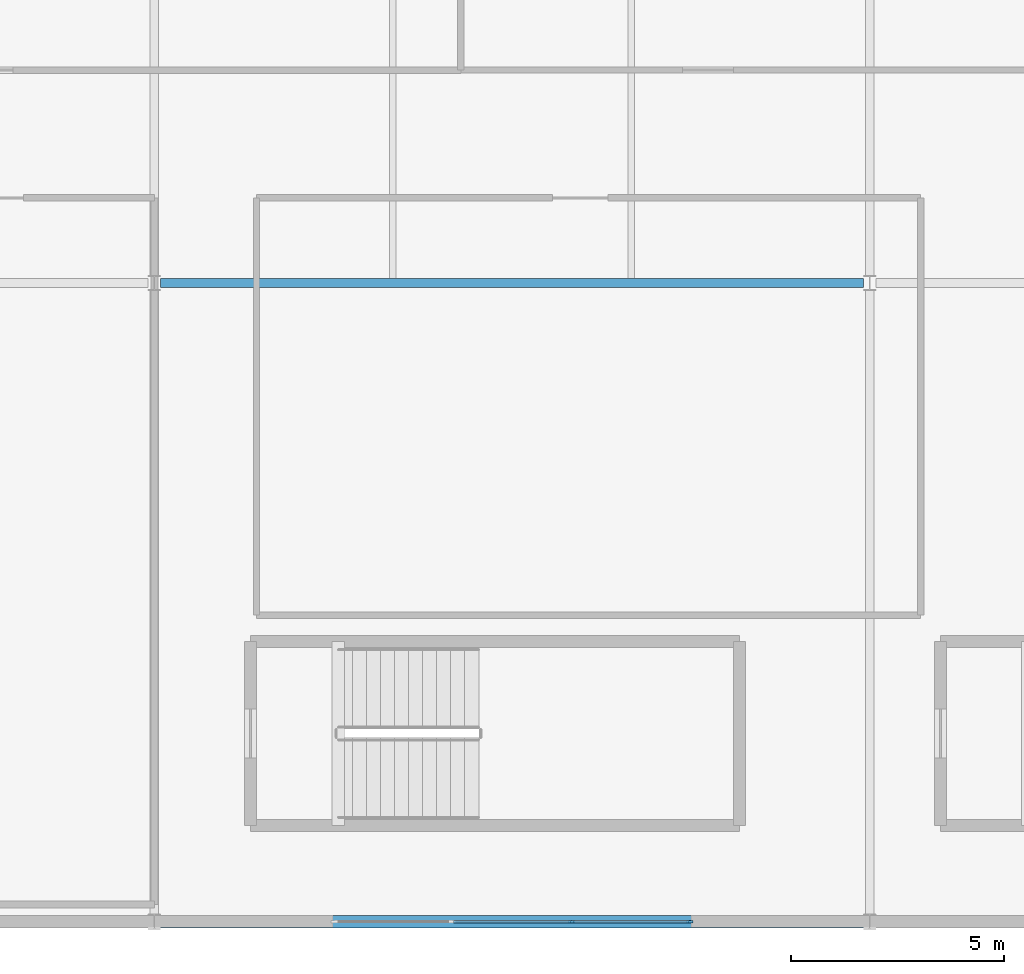
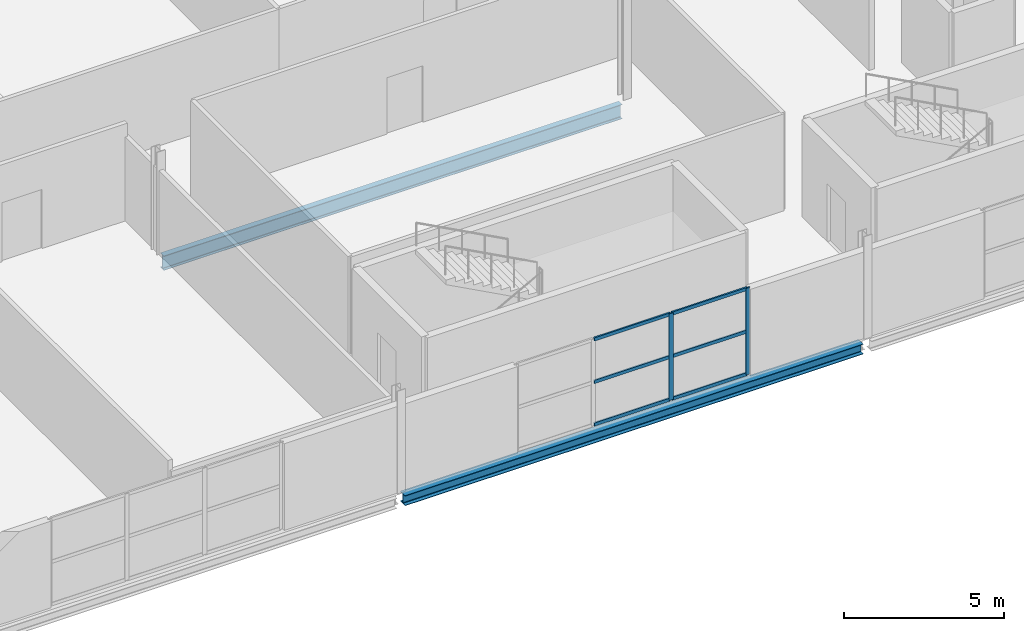
# One storey, part 8 of 18: 8 members, 2 beams, 1 element without a shape of its own.
"""IFC4 building model written with IfcOpenShell, lengths in metres."""

from ifc_helpers import new_model, si_unit, direction, frame, origin, origin_2d, place, context, subcontext, project, spatial, rectangle, i_section, extrude, material, material_profile, profile_set, type_object, element, aggregate, save


model = new_model("IFC4")

# Units and contexts
model_context = context("Model", 3, precision=1e-05, world=origin(), true_north=direction((0.0, 1.0)))
body_context = subcontext(model_context, "Body", "Model", "MODEL_VIEW")
ifc_project = project(units=[si_unit("LENGTHUNIT", "METRE"), si_unit("AREAUNIT", "SQUARE_METRE"), si_unit("VOLUMEUNIT", "CUBIC_METRE"), si_unit("PLANEANGLEUNIT", "RADIAN"), si_unit("MASSUNIT", "GRAM", prefix="KILO")], contexts=[model_context])

# Site, building, storey
site_placement = place(None, origin())
site = spatial("IfcSite", under=ifc_project, at=site_placement, CompositionType="ELEMENT")
building_placement = place(site_placement, origin())
building = spatial("IfcBuilding", under=site, at=building_placement, Name="Kimbaza Rail Terminus", CompositionType="ELEMENT")
storey_placement = place(building_placement, frame((0.0, 0.0, 24.89990234375)))
storey = spatial("IfcBuildingStorey", under=building, at=storey_placement, Name="L05", CompositionType="ELEMENT", Elevation=24.89990234375)

# Curtain wall, members
ifc_material_1 = material(Name="Anodised aluminium framing and solar low-E glazing", Category="aluminium")
curtain_wall_type = type_object("IfcCurtainWallType", Name="ARC-CW-OP2", PredefinedType="USERDEFINED", material=ifc_material_1)
curtain_wall_placement = place(storey_placement, origin())
curtain_wall = element("IfcCurtainWall", 1, at=curtain_wall_placement, inside=storey, type_object=curtain_wall_type, Name="Operations South Curtain Wall L05 Bay 3", ObjectType="STICK CURTAIN WALL", PredefinedType="USERDEFINED")
ifc_material_2 = material(Name="Anodised architectural aluminium", Category="aluminium")
ifc_material_profile_1 = material_profile(ifc_material_2, rectangle(XDim=0.05810546875, YDim=0.14990234375, at=origin_2d()), Name="MULLION 58x150")
ifc_profile_set_1 = profile_set([ifc_material_profile_1], Name="Anodised architectural aluminium")
member_type_1 = type_object("IfcMemberType", Name="ARC-CWM-06", PredefinedType="MULLION", material=ifc_profile_set_1)
member_1_placement = place(storey_placement, frame((115.39990234375, 103.0, 0.0), z_axis=(0.0, 0.0, 1.0), x_axis=(0.0, 1.0, 0.0)))
member_1 = element("IfcMember", 2, at=member_1_placement, type_object=member_type_1, Name="CW-06 mullion 3", PredefinedType="MULLION", context=body_context, shape_type="SweptSolid", body=[
    extrude(rectangle(XDim=0.05810546875, YDim=0.14990234375, at=origin_2d()), origin(), (0.0, 0.0, 1.0), 3.300048828125),
])
member_2_placement = place(storey_placement, frame((118.1708984375, 103.0, 0.0), z_axis=(0.0, 0.0, 1.0), x_axis=(0.0, 1.0, 0.0)))
member_2 = element("IfcMember", 3, at=member_2_placement, type_object=member_type_1, Name="CW-06 mullion 4", PredefinedType="MULLION", context=body_context, shape_type="SweptSolid", body=[
    extrude(rectangle(XDim=0.05810546875, YDim=0.14990234375, at=origin_2d()), origin(), (0.0, 0.0, 1.0), 3.300048828125),
])
ifc_material_3 = material(Name="Anodised architectural aluminium", Category="aluminium")
ifc_material_profile_2 = material_profile(ifc_material_3, rectangle(XDim=0.05810546875, YDim=0.125, at=origin_2d()), Name="TRANSOM 58x125")
ifc_profile_set_2 = profile_set([ifc_material_profile_2], Name="Anodised architectural aluminium")
member_type_2 = type_object("IfcMemberType", Name="ARC-CWT-06", PredefinedType="USERDEFINED", material=ifc_profile_set_2)
member_3_placement = place(storey_placement, frame((112.62890625, 103.0, 0.029052734375), z_axis=(1.0, 0.0, 0.0), x_axis=(0.0, 1.0, 0.0)))
member_3 = element("IfcMember", 4, at=member_3_placement, type_object=member_type_2, Name="CW-06 transom 2.1", ObjectType="TRANSOM", PredefinedType="USERDEFINED", context=body_context, shape_type="SweptSolid", body=[
    extrude(rectangle(XDim=0.05810546875, YDim=0.125, at=origin_2d()), origin(), (0.0, 0.0, 1.0), 2.7421875),
])
member_4_placement = place(storey_placement, frame((112.62890625, 103.0, 1.650146484375), z_axis=(1.0, 0.0, 0.0), x_axis=(0.0, 1.0, 0.0)))
member_4 = element("IfcMember", 5, at=member_4_placement, type_object=member_type_2, Name="CW-06 transom 2.2", ObjectType="TRANSOM", PredefinedType="USERDEFINED", context=body_context, shape_type="SweptSolid", body=[
    extrude(rectangle(XDim=0.05810546875, YDim=0.125, at=origin_2d()), origin(), (0.0, 0.0, 1.0), 2.7421875),
])
member_5_placement = place(storey_placement, frame((112.62890625, 103.0, 3.27099609375), z_axis=(1.0, 0.0, 0.0), x_axis=(0.0, 1.0, 0.0)))
member_5 = element("IfcMember", 6, at=member_5_placement, type_object=member_type_2, Name="CW-06 transom 2.3", ObjectType="TRANSOM", PredefinedType="USERDEFINED", context=body_context, shape_type="SweptSolid", body=[
    extrude(rectangle(XDim=0.05810546875, YDim=0.125, at=origin_2d()), origin(), (0.0, 0.0, 1.0), 2.7421875),
])
member_6_placement = place(storey_placement, frame((115.428955078125, 103.0, 0.029052734375), z_axis=(1.0, 0.0, 0.0), x_axis=(0.0, 1.0, 0.0)))
member_6 = element("IfcMember", 7, at=member_6_placement, type_object=member_type_2, Name="CW-06 transom 3.1", ObjectType="TRANSOM", PredefinedType="USERDEFINED", context=body_context, shape_type="SweptSolid", body=[
    extrude(rectangle(XDim=0.05810546875, YDim=0.125, at=origin_2d()), origin(), (0.0, 0.0, 1.0), 2.713134765625),
])
member_7_placement = place(storey_placement, frame((115.428955078125, 103.0, 1.650146484375), z_axis=(1.0, 0.0, 0.0), x_axis=(0.0, 1.0, 0.0)))
member_7 = element("IfcMember", 8, at=member_7_placement, type_object=member_type_2, Name="CW-06 transom 3.2", ObjectType="TRANSOM", PredefinedType="USERDEFINED", context=body_context, shape_type="SweptSolid", body=[
    extrude(rectangle(XDim=0.05810546875, YDim=0.125, at=origin_2d()), origin(), (0.0, 0.0, 1.0), 2.713134765625),
])
member_8_placement = place(storey_placement, frame((115.428955078125, 103.0, 3.27099609375), z_axis=(1.0, 0.0, 0.0), x_axis=(0.0, 1.0, 0.0)))
member_8 = element("IfcMember", 9, at=member_8_placement, type_object=member_type_2, Name="CW-06 transom 3.3", ObjectType="TRANSOM", PredefinedType="USERDEFINED", context=body_context, shape_type="SweptSolid", body=[
    extrude(rectangle(XDim=0.05810546875, YDim=0.125, at=origin_2d()), origin(), (0.0, 0.0, 1.0), 2.713134765625),
])
aggregate(curtain_wall, [member_1, member_2, member_3, member_4, member_5, member_6, member_7, member_8])

# Beams
ifc_material_4 = material(Name="Steel S355", Category="steel")
ifc_material_profile_3 = material_profile(ifc_material_4, i_section(OverallWidth=0.300048828125, OverallDepth=0.389892578125, WebThickness=0.010986328125, FlangeThickness=0.01904296875, FilletRadius=0.027099609375, at=origin_2d()), Name="HEA 400")
ifc_profile_set_3 = profile_set([ifc_material_profile_3], Name="Steel S355")
beam_type_1 = type_object("IfcBeamType", Name="STR-BM-HEA400", PredefinedType="SPANDREL", material=ifc_profile_set_3)
beam_1_placement = place(storey_placement, frame((105.74609375, 103.0, -0.385009765625), z_axis=(1.0, 0.0, 0.0), x_axis=(0.0, 1.0, 0.0)))
element("IfcBeam", 10, at=beam_1_placement, inside=storey, type_object=beam_type_1, Name="Operations Girder L05 X2-Y0", PredefinedType="SPANDREL", context=body_context, shape_type="SweptSolid", body=[
    extrude(i_section(OverallWidth=0.300048828125, OverallDepth=0.389892578125, WebThickness=0.010986328125, FlangeThickness=0.01904296875, FilletRadius=0.027099609375, at=origin_2d()), origin(), (0.0, 0.0, 1.0), 16.5078125),
])
ifc_material_5 = material(Name="Steel S355", Category="steel")
ifc_material_profile_4 = material_profile(ifc_material_5, i_section(OverallWidth=0.2099609375, OverallDepth=0.550048828125, WebThickness=0.010986328125, FlangeThickness=0.01708984375, FilletRadius=0.02392578125, at=origin_2d()), Name="IPE 550")
ifc_profile_set_4 = profile_set([ifc_material_profile_4], Name="Steel S355")
beam_type_2 = type_object("IfcBeamType", Name="STR-BM-IPE550", PredefinedType="BEAM", material=ifc_profile_set_4)
beam_2_placement = place(storey_placement, frame((105.74609375, 118.0, -0.46484375), z_axis=(1.0, 0.0, 0.0), x_axis=(0.0, 1.0, 0.0)))
element("IfcBeam", 11, at=beam_2_placement, inside=storey, type_object=beam_type_2, Name="Operations Girder L05 X2-Y1", PredefinedType="BEAM", context=body_context, shape_type="SweptSolid", body=[
    extrude(i_section(OverallWidth=0.2099609375, OverallDepth=0.550048828125, WebThickness=0.010986328125, FlangeThickness=0.01708984375, FilletRadius=0.02392578125, at=origin_2d()), origin(), (0.0, 0.0, 1.0), 16.5078125),
])

save(model, "model.ifc")
